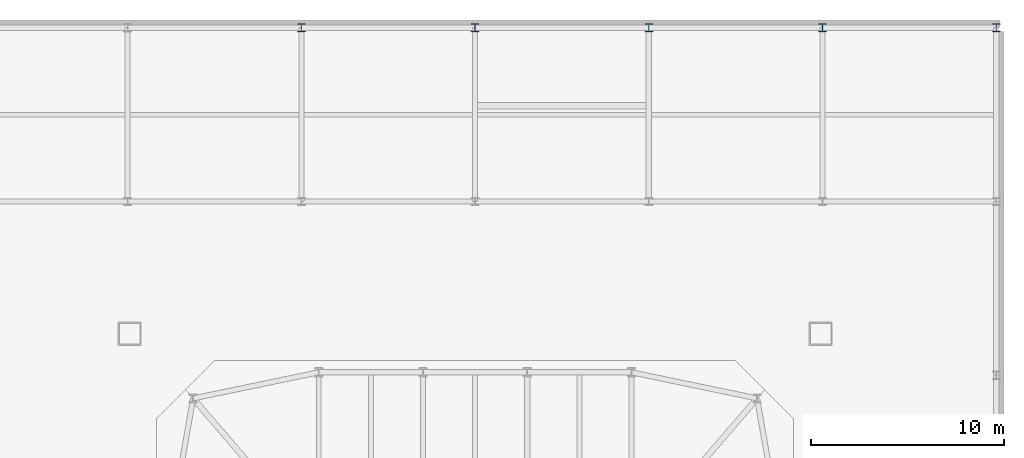
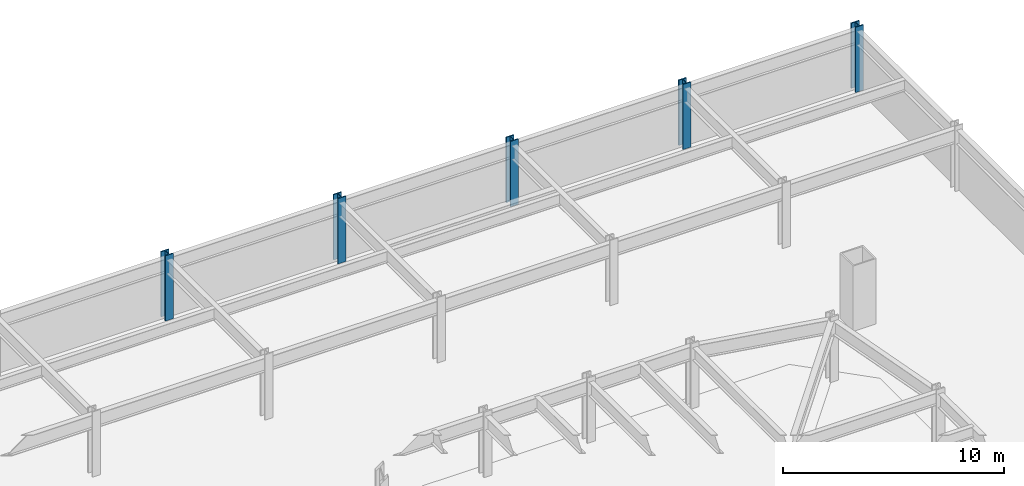
# One storey, part 5 of 17: 5 columns.
"""IFC4 building model written with IfcOpenShell, lengths in metres."""

from ifc_helpers import new_model, si_unit, direction, frame, origin, origin_2d, place, context, subcontext, project, spatial, i_section, extrude, material, material_profile, profile_set, type_object, element, save


model = new_model("IFC4")

# Units and contexts
model_context = context("Model", 3, precision=1e-05, world=origin(), true_north=direction((0.0, 1.0)))
body_context = subcontext(model_context, "Body", "Model", "MODEL_VIEW")
ifc_project = project(units=[si_unit("LENGTHUNIT", "METRE"), si_unit("AREAUNIT", "SQUARE_METRE"), si_unit("VOLUMEUNIT", "CUBIC_METRE"), si_unit("PLANEANGLEUNIT", "RADIAN"), si_unit("MASSUNIT", "GRAM", prefix="KILO")], contexts=[model_context])

# Site, building, storey
site_placement = place(None, origin())
site = spatial("IfcSite", under=ifc_project, at=site_placement, CompositionType="ELEMENT")
building_placement = place(site_placement, origin())
building = spatial("IfcBuilding", under=site, at=building_placement, Name="Iwan Alto Co-Living Towers", CompositionType="ELEMENT")
storey_placement = place(building_placement, frame((0.0, 0.0, -3.60009765625)))
storey = spatial("IfcBuildingStorey", under=building, at=storey_placement, Name="B1", CompositionType="ELEMENT", Elevation=-3.60009765625)

# Columns
ifc_material = material(Name="Steel ASTM A992 Gr 50", Category="steel")
ifc_material_profile = material_profile(ifc_material, i_section(OverallWidth=0.411376953125, OverallDepth=0.434326171875, WebThickness=0.035888671875, FlangeThickness=0.057373046875, at=origin_2d()), Name="W14X311")
ifc_profile_set = profile_set([ifc_material_profile], Name="Steel ASTM A992 Gr 50")
column_type = type_object("IfcColumnType", Name="PODIUM COLUMN W14X311", PredefinedType="COLUMN", material=ifc_profile_set)
for number, where, z_axis, x_axis, name in (
    (1, (54.0, 36.0, 0.0), (0.0, 0.0, 1.0), (1.0, 0.0, 0.0), "Podium column 11/I B1"),
    (2, (63.0, 36.0, 0.0), (0.0, 0.0, 1.0), (1.0, 0.0, 0.0), "Podium column 12/I B1"),
    (3, (72.0, 36.0, 0.0), (0.0, 0.0, 1.0), (1.0, 0.0, 0.0), "Podium column 13/I B1"),
    (4, (81.0, 36.0, 0.0), (0.0, 0.0, 1.0), (1.0, 0.0, 0.0), "Podium column 14/I B1"),
    (5, (90.0, 36.0, 0.0), (0.0, 0.0, 1.0), (1.0, 0.0, 0.0), "Podium column 15/I B1"),
):
    element("IfcColumn", number, at=place(storey_placement, frame(where, z_axis=z_axis, x_axis=x_axis)), inside=storey, type_object=column_type, Name=name, PredefinedType="COLUMN", context=body_context, shape_type="SweptSolid", body=[
        extrude(i_section(OverallWidth=0.411376953125, OverallDepth=0.434326171875, WebThickness=0.035888671875, FlangeThickness=0.057373046875, at=origin_2d()), origin(), (0.0, 0.0, 1.0), 3.60009765625),
    ])

save(model, "model.ifc")
